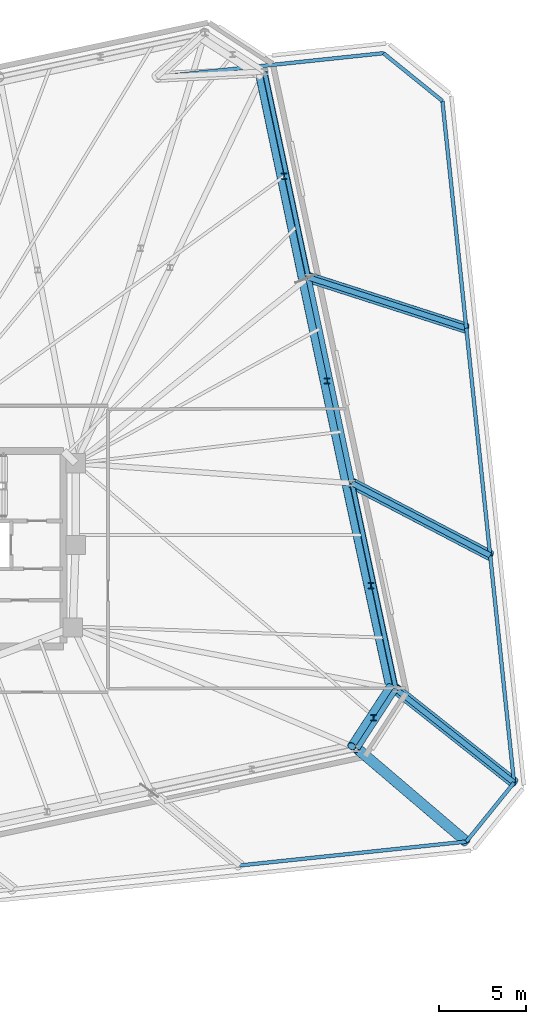
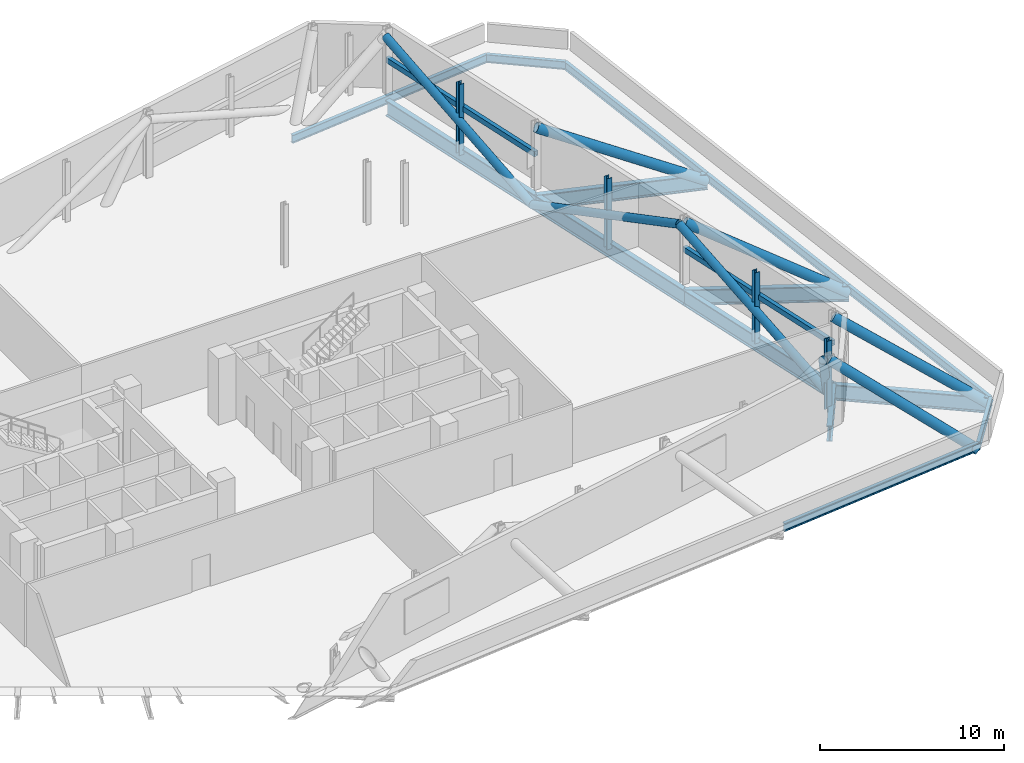
# One storey, part 11 of 19: 14 beams, 14 members.
"""IFC4 building model written with IfcOpenShell, lengths in metres."""

import ifcopenshell
import ifcopenshell.guid

model = None  # the IFC model being written
_history = None  # IfcOwnerHistory: only IFC2X3 demands one
_inside = {}  # id of a spatial element -> (the spatial element, [elements in it])
_under = {}  # id of a project, library or spatial element -> (it, [spatial elements below it])
_declared = {}  # id of a project -> (the project, [libraries it declares])
_typed = {}  # id of a type object -> (the type object, [elements of that type])
_made_of = {}  # id of a material, layer set ... -> (it, [elements and type objects made of it])


def new_model(schema):
    """Start an empty IFC model of exactly this schema.

    Asked for "IFC4X3", IfcOpenShell would pick the latest addendum, in which some entities
    have other attributes; the version numbers below select the first issue.
    IFC2X3 requires an IfcOwnerHistory on every rooted entity: one is made here for all.
    """
    global model, _history
    if schema == "IFC4X3":
        model = ifcopenshell.file(schema_version=(4, 3, 0, 0))
    else:
        model = ifcopenshell.file(schema=schema)
    _inside.clear()
    _under.clear()
    _declared.clear()
    _typed.clear()
    _made_of.clear()
    _history = None
    if model.schema == "IFC2X3":
        org = make("IfcOrganization", Name="unknown")
        user = make(
            "IfcPersonAndOrganization",
            ThePerson=make("IfcPerson", FamilyName="unknown"),
            TheOrganization=org,
        )
        app = make(
            "IfcApplication",
            ApplicationDeveloper=org,
            Version="unknown",
            ApplicationFullName="unknown",
            ApplicationIdentifier="unknown",
        )
        _history = make(
            "IfcOwnerHistory",
            OwningUser=user,
            OwningApplication=app,
            ChangeAction="ADDED",
            CreationDate=0,
        )
    return model


def make(cls, **values):
    """One entity of the class cls with the attributes given. An attribute that is None is left unset."""
    return model.create_entity(
        cls, **{name: value for name, value in values.items() if value is not None}
    )


def rooted(cls, **values):
    """An entity with a GlobalId (a new one), such as an element, a storey or a relation."""
    return make(cls, GlobalId=ifcopenshell.guid.new(), OwnerHistory=_history, **values)


def si_unit(unit_type, name, prefix=None):
    """IfcSIUnit, for example si_unit("LENGTHUNIT", "METRE", prefix="MILLI")."""
    return make("IfcSIUnit", UnitType=unit_type, Prefix=prefix, Name=name)


def assignment(units):
    """IfcUnitAssignment: the units of a project."""
    return None if units is None else make("IfcUnitAssignment", Units=units)


def point(xyz):
    """IfcCartesianPoint."""
    return None if xyz is None else make("IfcCartesianPoint", Coordinates=xyz)


def direction(xyz):
    """IfcDirection."""
    return None if xyz is None else make("IfcDirection", DirectionRatios=xyz)


def frame(location, z_axis=None, x_axis=None):
    """IfcAxis2Placement3D, a coordinate frame: its origin and axes. An axis left out is left unset."""
    return make(
        "IfcAxis2Placement3D",
        Location=point(location),
        Axis=direction(z_axis),
        RefDirection=direction(x_axis),
    )


def frame_2d(location, x_axis=None):
    """IfcAxis2Placement2D, a coordinate frame in the plane: its origin and x axis."""
    return make(
        "IfcAxis2Placement2D", Location=point(location), RefDirection=direction(x_axis)
    )


def origin():
    """The frame at (0, 0, 0) with its axes left unset."""
    return frame((0.0, 0.0, 0.0))


def origin_2d():
    """The frame at (0, 0) in the plane with its x axis left unset."""
    return frame_2d((0.0, 0.0))


def place(relative_to, where):
    """IfcLocalPlacement: puts the frame where relative to a parent placement (None: the world)."""
    return make(
        "IfcLocalPlacement", PlacementRelTo=relative_to, RelativePlacement=where
    )


def context(
    kind, dimensions, precision=None, world=None, true_north=None, identifier=None
):
    """IfcGeometricRepresentationContext, for example the 3D "Model" context."""
    return make(
        "IfcGeometricRepresentationContext",
        ContextIdentifier=identifier,
        ContextType=kind,
        CoordinateSpaceDimension=dimensions,
        Precision=precision,
        WorldCoordinateSystem=world,
        TrueNorth=true_north,
    )


def subcontext(parent, identifier, kind, view, scale=None):
    """IfcGeometricRepresentationSubContext, for example "Body" below "Model"."""
    return make(
        "IfcGeometricRepresentationSubContext",
        ContextIdentifier=identifier,
        ContextType=kind,
        ParentContext=parent,
        TargetScale=scale,
        TargetView=view,
    )


def project(units=None, contexts=None):
    """IfcProject with its units and contexts."""
    return rooted(
        "IfcProject",
        Name="project",
        RepresentationContexts=contexts,
        UnitsInContext=assignment(units),
    )


def spatial(cls, under=None, at=None, **own):
    """A site, building, storey or space (cls), placed at a placement, below another one or the project."""
    s = rooted(cls, ObjectPlacement=at, **own)
    if under is not None:
        _under.setdefault(under.id(), (under, []))[1].append(s)
    return s


def profile(cls, at=None, kind="AREA", **sizes):
    """A parametric profile (cls). Its sizes go by their IFC names, for example OverallWidth=200.0."""
    return make(cls, ProfileType=kind, Position=at, **sizes)


def hollow_rectangle(**sizes):
    """IfcRectangleHollowProfileDef."""
    return profile("IfcRectangleHollowProfileDef", **sizes)


def hollow_circle(**sizes):
    """IfcCircleHollowProfileDef."""
    return profile("IfcCircleHollowProfileDef", **sizes)


def i_section(**sizes):
    """IfcIShapeProfileDef."""
    return profile("IfcIShapeProfileDef", **sizes)


def extrude(swept, where, along, depth):
    """IfcExtrudedAreaSolid: the profile swept, set in the frame where, extruded along a direction by depth."""
    return make(
        "IfcExtrudedAreaSolid",
        SweptArea=swept,
        Position=where,
        ExtrudedDirection=direction(along),
        Depth=depth,
    )


def shape(context_of_items, identifier, shape_type, items):
    """IfcShapeRepresentation: the items that make up one representation, for example the "Body"."""
    return make(
        "IfcShapeRepresentation",
        ContextOfItems=context_of_items,
        RepresentationIdentifier=identifier,
        RepresentationType=shape_type,
        Items=items,
    )


def material(Name=None, Category=None):
    """IfcMaterial."""
    return make("IfcMaterial", Name=Name, Category=Category)


def material_profile(
    of_material, cross_section, Name=None, Category=None, Priority=None
):
    """IfcMaterialProfile: a cross section and its material."""
    return make(
        "IfcMaterialProfile",
        Name=Name,
        Material=of_material,
        Profile=cross_section,
        Priority=Priority,
        Category=Category,
    )


def profile_set(profiles, Name=None, composite=None):
    """IfcMaterialProfileSet."""
    return make(
        "IfcMaterialProfileSet",
        Name=Name,
        MaterialProfiles=profiles,
        CompositeProfile=composite,
    )


def made_of(thing, what):
    """Note that an element or type object is made of a material, layer set ...; save() writes the relation."""
    if what is not None:
        _made_of.setdefault(what.id(), (what, []))[1].append(thing)
    return thing


def type_object(cls, material=None, **own):
    """A type object (cls), such as IfcWallType, which elements share."""
    return made_of(rooted(cls, **own), material)


def element(
    cls,
    number,
    at=None,
    inside=None,
    cuts=None,
    type_object=None,
    material=None,
    context=None,
    identifier="Body",
    shape_type=None,
    held_by="IfcProductDefinitionShape",
    body=None,
    shapes=None,
    **own,
):
    """One element of the class cls, such as IfcWall. Its Tag is "e" and its number.

    at: its placement. inside: the storey or other place that contains it. cuts: it is an
    opening in that element (IfcRelVoidsElement). A single representation is given by context,
    identifier, shape_type and body (its items); several are given by shapes. held_by: the class
    of the entity that holds the representations. save() writes the other relations.
    """
    e = rooted(cls, Tag="e%d" % number, ObjectPlacement=at, **own)
    if body is not None:
        shapes = [shape(context, identifier, shape_type, body)]
    if shapes is not None:
        e.Representation = make(held_by, Representations=shapes)
    if inside is not None:
        _inside.setdefault(inside.id(), (inside, []))[1].append(e)
    if cuts is not None:
        rooted(
            "IfcRelVoidsElement", RelatingBuildingElement=cuts, RelatedOpeningElement=e
        )
    if type_object is not None:
        _typed.setdefault(type_object.id(), (type_object, []))[1].append(e)
    return made_of(e, material)


def aggregate(whole, parts):
    """IfcRelAggregates: a whole, such as a stair, and the parts it consists of."""
    return rooted("IfcRelAggregates", RelatingObject=whole, RelatedObjects=parts)


def save(model, path):
    """Write the relations noted so far, then the file.

    IfcRelAggregates (storeys below a building ...), IfcRelContainedInSpatialStructure (elements
    in a storey), IfcRelDefinesByType, IfcRelAssociatesMaterial and IfcRelDeclares: one each for
    every whole, place, type object, material and project.
    """
    for whole, parts in _under.values():
        aggregate(whole, parts)
    for where, things in _inside.values():
        rooted(
            "IfcRelContainedInSpatialStructure",
            RelatedElements=things,
            RelatingStructure=where,
        )
    for kind, things in _typed.values():
        rooted("IfcRelDefinesByType", RelatedObjects=things, RelatingType=kind)
    for what, things in _made_of.values():
        rooted("IfcRelAssociatesMaterial", RelatedObjects=things, RelatingMaterial=what)
    for by, libraries in _declared.values():
        rooted("IfcRelDeclares", RelatingContext=by, RelatedDefinitions=libraries)
    model.write(path)


model = new_model("IFC4")

# Units and contexts
model_context = context("Model", 3, precision=1e-05, world=origin(), true_north=direction((0.0, 1.0)))
body_context = subcontext(model_context, "Body", "Model", "MODEL_VIEW")
ifc_project = project(units=[si_unit("LENGTHUNIT", "METRE"), si_unit("AREAUNIT", "SQUARE_METRE"), si_unit("VOLUMEUNIT", "CUBIC_METRE"), si_unit("PLANEANGLEUNIT", "RADIAN"), si_unit("MASSUNIT", "GRAM", prefix="KILO")], contexts=[model_context])

# Site, building, storey
site_placement = place(None, origin())
site = spatial("IfcSite", under=ifc_project, at=site_placement, CompositionType="ELEMENT")
building_placement = place(site_placement, origin())
building = spatial("IfcBuilding", under=site, at=building_placement, Name="Menara Jurai Vektor", CompositionType="ELEMENT")
storey_placement = place(building_placement, frame((0.0, 0.0, 142.89990234375)))
storey = spatial("IfcBuildingStorey", under=building, at=storey_placement, Name="L36", CompositionType="ELEMENT", Elevation=142.89990234375)

# Beams
ifc_material_1 = material(Name="Steel S355", Category="steel")
ifc_material_profile_1 = material_profile(ifc_material_1, i_section(OverallWidth=0.2109375, OverallDepth=0.5390625, WebThickness=0.011962890625, FlangeThickness=0.01904296875, FilletRadius=0.012939453125, at=origin_2d()), Name="UKB 533x210x109")
ifc_profile_set_1 = profile_set([ifc_material_profile_1], Name="Steel S355")
beam_type_1 = type_object("IfcBeamType", Name="STR-BM-533", PredefinedType="BEAM", material=ifc_profile_set_1)
beam_1_placement = place(storey_placement, frame((24.64208984375, -18.12939453125, -0.67431640625), z_axis=(0.994521636083, 0.104530930169, 0.0), x_axis=(-0.104530930169, 0.994521636083, 0.0)))
element("IfcBeam", 1, at=beam_1_placement, inside=storey, type_object=beam_type_1, Name="Step Terrace Edge Beam L36-05", PredefinedType="BEAM", context=body_context, shape_type="SweptSolid", body=[
    extrude(i_section(OverallWidth=0.2109375, OverallDepth=0.5390625, WebThickness=0.011962890625, FlangeThickness=0.01904296875, FilletRadius=0.012939453125, at=origin_2d()), origin(), (0.0, 0.0, 1.0), 13.05126953125),
])
beam_2_placement = place(storey_placement, frame((37.621826171875, -16.76513671875, -0.67431640625), z_axis=(0.629343699494, 0.777127086072, 0.0), x_axis=(-0.777127086072, 0.629343699494, 0.0)))
element("IfcBeam", 2, at=beam_2_placement, inside=storey, type_object=beam_type_1, Name="Step Terrace Edge Beam L36-06", PredefinedType="BEAM", context=body_context, shape_type="SweptSolid", body=[
    extrude(i_section(OverallWidth=0.2109375, OverallDepth=0.5390625, WebThickness=0.011962890625, FlangeThickness=0.01904296875, FilletRadius=0.012939453125, at=origin_2d()), origin(), (0.0, 0.0, 1.0), 4.3447265625),
])
beam_3_placement = place(storey_placement, frame((40.356201171875, -13.388671875, -0.67431640625), z_axis=(-0.104538130097, 0.994520879296, 0.0), x_axis=(-0.994520879296, -0.104538130097, 0.0)))
element("IfcBeam", 3, at=beam_3_placement, inside=storey, type_object=beam_type_1, Name="Step Terrace Edge Beam L36-07", PredefinedType="BEAM", context=body_context, shape_type="SweptSolid", body=[
    extrude(i_section(OverallWidth=0.2109375, OverallDepth=0.5390625, WebThickness=0.011962890625, FlangeThickness=0.01904296875, FilletRadius=0.012939453125, at=origin_2d()), origin(), (0.0, 0.0, 1.0), 13.08544921875),
])
beam_4_placement = place(storey_placement, frame((38.98828125, -0.375, -0.67431640625), z_axis=(-0.104521615846, 0.994522615037, 0.0), x_axis=(-0.994522615037, -0.104521615846, 0.0)))
element("IfcBeam", 4, at=beam_4_placement, inside=storey, type_object=beam_type_1, Name="Step Terrace Edge Beam L36-08", PredefinedType="BEAM", context=body_context, shape_type="SweptSolid", body=[
    extrude(i_section(OverallWidth=0.2109375, OverallDepth=0.5390625, WebThickness=0.011962890625, FlangeThickness=0.01904296875, FilletRadius=0.012939453125, at=origin_2d()), origin(), (0.0, 0.0, 1.0), 13.085205078125),
])
beam_5_placement = place(storey_placement, frame((37.62060546875, 12.638427734375, -0.67431640625), z_axis=(-0.104538130097, 0.994520879296, 0.0), x_axis=(-0.994520879296, -0.104538130097, 0.0)))
element("IfcBeam", 5, at=beam_5_placement, inside=storey, type_object=beam_type_1, Name="Step Terrace Edge Beam L36-09", PredefinedType="BEAM", context=body_context, shape_type="SweptSolid", body=[
    extrude(i_section(OverallWidth=0.2109375, OverallDepth=0.5390625, WebThickness=0.011962890625, FlangeThickness=0.01904296875, FilletRadius=0.012939453125, at=origin_2d()), origin(), (0.0, 0.0, 1.0), 13.08544921875),
])
beam_6_placement = place(storey_placement, frame((36.252685546875, 25.652099609375, -0.67431640625), z_axis=(-0.777154568396, 0.629309762217, 0.0), x_axis=(-0.629309762217, -0.777154568396, 0.0)))
element("IfcBeam", 6, at=beam_6_placement, inside=storey, type_object=beam_type_1, Name="Step Terrace Edge Beam L36-10", PredefinedType="BEAM", context=body_context, shape_type="SweptSolid", body=[
    extrude(i_section(OverallWidth=0.2109375, OverallDepth=0.5390625, WebThickness=0.011962890625, FlangeThickness=0.01904296875, FilletRadius=0.012939453125, at=origin_2d()), origin(), (0.0, 0.0, 1.0), 4.3447265625),
])
beam_7_placement = place(storey_placement, frame((32.876220703125, 28.38623046875, -0.67431640625), z_axis=(-0.994521431679, -0.104532874882, 0.0), x_axis=(0.104532874882, -0.994521431679, 0.0)))
element("IfcBeam", 7, at=beam_7_placement, inside=storey, type_object=beam_type_1, Name="Step Terrace Edge Beam L36-11", PredefinedType="BEAM", context=body_context, shape_type="SweptSolid", body=[
    extrude(i_section(OverallWidth=0.2109375, OverallDepth=0.5390625, WebThickness=0.011962890625, FlangeThickness=0.01904296875, FilletRadius=0.012939453125, at=origin_2d()), origin(), (0.0, 0.0, 1.0), 13.051025390625),
])
ifc_material_2 = material(Name="Steel S460", Category="steel")
ifc_material_profile_2 = material_profile(ifc_material_2, i_section(OverallWidth=0.30908203125, OverallDepth=1.035888671875, WebThickness=0.030029296875, FlangeThickness=0.053955078125, FilletRadius=0.030029296875, at=origin_2d()), Name="UKB 1016x305x487")
ifc_profile_set_2 = profile_set([ifc_material_profile_2], Name="Steel S460")
beam_type_2 = type_object("IfcBeamType", Name="STR-BM-TR1016", PredefinedType="BEAM", material=ifc_profile_set_2)
beam_8_placement = place(storey_placement, frame((31.376220703125, -11.438720703125, -0.9228515625), z_axis=(0.544646071268, 0.838665998507, 0.0), x_axis=(-0.838665998507, 0.544646071268, 0.0)))
element("IfcBeam", 8, at=beam_8_placement, inside=storey, type_object=beam_type_2, Name="Belt Truss Bottom Chord L36-06", PredefinedType="BEAM", context=body_context, shape_type="SweptSolid", body=[
    extrude(i_section(OverallWidth=0.30908203125, OverallDepth=1.035888671875, WebThickness=0.030029296875, FlangeThickness=0.053955078125, FilletRadius=0.030029296875, at=origin_2d()), origin(), (0.0, 0.0, 1.0), 4.06201171875),
])
beam_9_placement = place(storey_placement, frame((33.588623046875, -8.031982421875, -0.9228515625), z_axis=(-0.207925382659, 0.978144690343, 0.0), x_axis=(-0.978144690343, -0.207925382659, 0.0)))
element("IfcBeam", 9, at=beam_9_placement, inside=storey, type_object=beam_type_2, Name="Belt Truss Bottom Chord L36-07", PredefinedType="BEAM", context=body_context, shape_type="SweptSolid", body=[
    extrude(i_section(OverallWidth=0.30908203125, OverallDepth=1.035888671875, WebThickness=0.030029296875, FlangeThickness=0.053955078125, FilletRadius=0.030029296875, at=origin_2d()), origin(), (0.0, 0.0, 1.0), 12.0517578125),
])
beam_10_placement = place(storey_placement, frame((40.356201171875, -13.388671875, -0.9228515625), z_axis=(-0.784100884895, 0.620633388005, 0.0), x_axis=(-0.620633388005, -0.784100884895, 0.0)))
element("IfcBeam", 10, at=beam_10_placement, inside=storey, type_object=beam_type_2, Name="Cantilever Transfer Girder L36-E1", PredefinedType="BEAM", context=body_context, shape_type="SweptSolid", body=[
    extrude(i_section(OverallWidth=0.30908203125, OverallDepth=1.035888671875, WebThickness=0.030029296875, FlangeThickness=0.053955078125, FilletRadius=0.030029296875, at=origin_2d()), origin(), (0.0, 0.0, 1.0), 8.631103515625),
])
beam_11_placement = place(storey_placement, frame((31.082763671875, 3.75634765625, -0.9228515625), z_axis=(-0.207901880993, 0.978149685825, 0.0), x_axis=(-0.978149685825, -0.207901880993, 0.0)))
element("IfcBeam", 11, at=beam_11_placement, inside=storey, type_object=beam_type_2, Name="Belt Truss Bottom Chord L36-08", PredefinedType="BEAM", context=body_context, shape_type="SweptSolid", body=[
    extrude(i_section(OverallWidth=0.30908203125, OverallDepth=1.035888671875, WebThickness=0.030029296875, FlangeThickness=0.053955078125, FilletRadius=0.030029296875, at=origin_2d()), origin(), (0.0, 0.0, 1.0), 12.052001953125),
])
beam_12_placement = place(storey_placement, frame((38.98828125, -0.375, -0.9228515625), z_axis=(-0.886275238215, 0.4631589383, 0.0), x_axis=(-0.4631589383, -0.886275238215, 0.0)))
element("IfcBeam", 12, at=beam_12_placement, inside=storey, type_object=beam_type_2, Name="Cantilever Transfer Girder L36-E2", PredefinedType="BEAM", context=body_context, shape_type="SweptSolid", body=[
    extrude(i_section(OverallWidth=0.30908203125, OverallDepth=1.035888671875, WebThickness=0.030029296875, FlangeThickness=0.053955078125, FilletRadius=0.030029296875, at=origin_2d()), origin(), (0.0, 0.0, 1.0), 8.919921875),
])
beam_13_placement = place(storey_placement, frame((28.5771484375, 15.544921875, -0.9228515625), z_axis=(-0.207921262698, 0.978145566119, 0.0), x_axis=(-0.978145566119, -0.207921262698, 0.0)))
element("IfcBeam", 13, at=beam_13_placement, inside=storey, type_object=beam_type_2, Name="Belt Truss Bottom Chord L36-09", PredefinedType="BEAM", context=body_context, shape_type="SweptSolid", body=[
    extrude(i_section(OverallWidth=0.30908203125, OverallDepth=1.035888671875, WebThickness=0.030029296875, FlangeThickness=0.053955078125, FilletRadius=0.030029296875, at=origin_2d()), origin(), (0.0, 0.0, 1.0), 12.052001953125),
])
beam_14_placement = place(storey_placement, frame((37.62060546875, 12.638427734375, -0.9228515625), z_axis=(-0.95203872255, 0.305977565789, 0.0), x_axis=(-0.305977565789, -0.95203872255, 0.0)))
element("IfcBeam", 14, at=beam_14_placement, inside=storey, type_object=beam_type_2, Name="Cantilever Transfer Girder L36-E3", PredefinedType="BEAM", context=body_context, shape_type="SweptSolid", body=[
    extrude(i_section(OverallWidth=0.30908203125, OverallDepth=1.035888671875, WebThickness=0.030029296875, FlangeThickness=0.053955078125, FilletRadius=0.030029296875, at=origin_2d()), origin(), (0.0, 0.0, 1.0), 9.4990234375),
])

# Members
ifc_material_profile_3 = material_profile(ifc_material_2, hollow_circle(Radius=0.25390625, WallThickness=0.02001953125, at=origin_2d()), Name="CHS 508x20")
ifc_profile_set_3 = profile_set([ifc_material_profile_3], Name="Steel S460")
member_type_1 = type_object("IfcMemberType", Name="STR-BR-508", PredefinedType="BRACE", material=ifc_profile_set_3)
member_1_placement = place(storey_placement, frame((33.262939453125, -7.93408203125, -0.9228515625), z_axis=(-0.346238496673, -0.530788879486, 0.773551594166), x_axis=(0.837558726892, -0.546347306213, 0.0)))
element("IfcMember", 15, at=member_1_placement, inside=storey, type_object=member_type_1, Name="Belt Truss Web Diagonal L36-06", PredefinedType="BRACE", context=body_context, shape_type="SweptSolid", body=[
    extrude(hollow_circle(Radius=0.25390625, WallThickness=0.02001953125, at=origin_2d()), origin(), (0.0, 0.0, 1.0), 6.353759765625),
])
member_2_placement = place(storey_placement, frame((33.262939453125, -7.93408203125, -0.9228515625), z_axis=(-0.195036489473, 0.9040230384, 0.380398624887), x_axis=(-0.977509648628, -0.210890698795, 0.0)))
element("IfcMember", 16, at=member_2_placement, inside=storey, type_object=member_type_1, Name="Belt Truss Web Diagonal L36-07", PredefinedType="BRACE", context=body_context, shape_type="SweptSolid", body=[
    extrude(hollow_circle(Radius=0.25390625, WallThickness=0.02001953125, at=origin_2d()), origin(), (0.0, 0.0, 1.0), 12.920654296875),
])
member_3_placement = place(storey_placement, frame((28.2626953125, 15.41552734375, -0.9228515625), z_axis=(0.192228854255, -0.904397117625, 0.380938211818), x_axis=(0.978149071632, 0.207904770665, 0.0)))
element("IfcMember", 17, at=member_3_placement, inside=storey, type_object=member_type_1, Name="Belt Truss Web Diagonal L36-08", PredefinedType="BRACE", context=body_context, shape_type="SweptSolid", body=[
    extrude(hollow_circle(Radius=0.25390625, WallThickness=0.02001953125, at=origin_2d()), origin(), (0.0, 0.0, 1.0), 12.90234375),
])
member_4_placement = place(storey_placement, frame((28.2626953125, 15.41552734375, -0.9228515625), z_axis=(-0.189534271742, 0.905195728876, 0.380391183204), x_axis=(-0.978774425821, -0.204940536152, 0.0)))
element("IfcMember", 18, at=member_4_placement, inside=storey, type_object=member_type_1, Name="Belt Truss Web Diagonal L36-09", PredefinedType="BRACE", context=body_context, shape_type="SweptSolid", body=[
    extrude(hollow_circle(Radius=0.25390625, WallThickness=0.02001953125, at=origin_2d()), origin(), (0.0, 0.0, 1.0), 12.9208984375),
])
ifc_material_profile_4 = material_profile(ifc_material_2, hollow_rectangle(XDim=0.25, YDim=0.35009765625, WallThickness=0.012451171875, at=origin_2d()), Name="RHS 350x250x12.5")
ifc_profile_set_4 = profile_set([ifc_material_profile_4], Name="Steel S460")
member_type_2 = type_object("IfcMemberType", Name="STR-CH-RHS350", PredefinedType="CHORD", material=ifc_profile_set_4)
member_5_placement = place(storey_placement, frame((33.588623046875, -8.031982421875, 2.255126953125), z_axis=(-0.207925382659, 0.978144690343, 0.0), x_axis=(-0.978144690343, -0.207925382659, 0.0)))
element("IfcMember", 19, at=member_5_placement, inside=storey, type_object=member_type_2, Name="Belt Truss Mid Chord L36-07", PredefinedType="CHORD", context=body_context, shape_type="SweptSolid", body=[
    extrude(hollow_rectangle(XDim=0.25, YDim=0.35009765625, WallThickness=0.012451171875, at=origin_2d()), origin(), (0.0, 0.0, 1.0), 12.0517578125),
])
member_6_placement = place(storey_placement, frame((28.5771484375, 15.544921875, 2.255126953125), z_axis=(-0.207921262698, 0.978145566119, 0.0), x_axis=(-0.978145566119, -0.207921262698, 0.0)))
element("IfcMember", 20, at=member_6_placement, inside=storey, type_object=member_type_2, Name="Belt Truss Mid Chord L36-09", PredefinedType="CHORD", context=body_context, shape_type="SweptSolid", body=[
    extrude(hollow_rectangle(XDim=0.25, YDim=0.35009765625, WallThickness=0.012451171875, at=origin_2d()), origin(), (0.0, 0.0, 1.0), 12.052001953125),
])
ifc_material_profile_5 = material_profile(ifc_material_2, i_section(OverallWidth=0.31103515625, OverallDepth=0.326904296875, WebThickness=0.01611328125, FlangeThickness=0.02490234375, FilletRadius=0.014892578125, at=origin_2d()), Name="UKC 305x305x158")
ifc_profile_set_5 = profile_set([ifc_material_profile_5], Name="Steel S460")
member_type_3 = type_object("IfcMemberType", Name="STR-POST-305", PredefinedType="POST", material=ifc_profile_set_5)
for number, where, z_axis, x_axis, name in (
    (21, (32.31298828125, -9.674560546875, -0.7548828125), (0.0, 0.0, 1.0), (1.0, 0.0, 0.0), "Belt Truss Vertical Web Post L36-06"),
    (22, (32.157470703125, -2.112548828125, -0.7548828125), (0.0, 0.0, 1.0), (1.0, 0.0, 0.0), "Belt Truss Vertical Web Post L36-07"),
    (23, (29.65380859375, 9.61328125, -0.7548828125), (0.0, 0.0, 1.0), (1.0, 0.0, 0.0), "Belt Truss Vertical Web Post L36-08"),
    (24, (27.171630859375, 21.343505859375, -0.7548828125), (0.0, 0.0, 1.0), (1.0, 0.0, 0.0), "Belt Truss Vertical Web Post L36-09"),
):
    element("IfcMember", number, at=place(storey_placement, frame(where, z_axis=z_axis, x_axis=x_axis)), inside=storey, type_object=member_type_3, Name=name, PredefinedType="POST", context=body_context, shape_type="SweptSolid", body=[
        extrude(i_section(OverallWidth=0.31103515625, OverallDepth=0.326904296875, WebThickness=0.01611328125, FlangeThickness=0.02490234375, FilletRadius=0.014892578125, at=origin_2d()), origin(), (0.0, 0.0, 1.0), 4.705078125),
    ])
ifc_material_profile_6 = material_profile(ifc_material_2, hollow_circle(Radius=0.304931640625, WallThickness=0.02490234375, at=origin_2d()), Name="CHS 610x25")
ifc_profile_set_6 = profile_set([ifc_material_profile_6], Name="Steel S460")
member_type_4 = type_object("IfcMemberType", Name="STR-ST-610", PredefinedType="STRUT", material=ifc_profile_set_6)
member_7_placement = place(storey_placement, frame((37.621826171875, -16.76513671875, -0.9228515625), z_axis=(-0.652797990126, 0.556723233155, 0.513725632758), x_axis=(-0.648895966138, -0.760877141942, 0.0)))
element("IfcMember", 25, at=member_7_placement, inside=storey, type_object=member_type_4, Name="Transfer Outrigger Strut L36-S6", PredefinedType="STRUT", context=body_context, shape_type="SweptSolid", body=[
    extrude(hollow_circle(Radius=0.304931640625, WallThickness=0.02490234375, at=origin_2d()), origin(), (0.0, 0.0, 1.0), 9.5673828125),
])
member_8_placement = place(storey_placement, frame((40.356201171875, -13.388671875, -0.9228515625), z_axis=(-0.681366336384, 0.539316695044, 0.494850904909), x_axis=(-0.620633388005, -0.784100884895, 0.0)))
element("IfcMember", 26, at=member_8_placement, inside=storey, type_object=member_type_4, Name="Transfer Outrigger Strut L36-E1", PredefinedType="STRUT", context=body_context, shape_type="SweptSolid", body=[
    extrude(hollow_circle(Radius=0.304931640625, WallThickness=0.02490234375, at=origin_2d()), origin(), (0.0, 0.0, 1.0), 9.932373046875),
])
member_9_placement = place(storey_placement, frame((38.98828125, -0.375, -0.9228515625), z_axis=(-0.776234760018, 0.405652839907, 0.48260270494), x_axis=(-0.4631589383, -0.886275238215, 0.0)))
element("IfcMember", 27, at=member_9_placement, inside=storey, type_object=member_type_4, Name="Transfer Outrigger Strut L36-E2", PredefinedType="STRUT", context=body_context, shape_type="SweptSolid", body=[
    extrude(hollow_circle(Radius=0.304931640625, WallThickness=0.02490234375, at=origin_2d()), origin(), (0.0, 0.0, 1.0), 10.184326171875),
])
member_10_placement = place(storey_placement, frame((37.62060546875, 12.638427734375, -0.9228515625), z_axis=(-0.845554348187, 0.271754346827, 0.45955132384), x_axis=(-0.305977565789, -0.95203872255, 0.0)))
element("IfcMember", 28, at=member_10_placement, inside=storey, type_object=member_type_4, Name="Transfer Outrigger Strut L36-E3", PredefinedType="STRUT", context=body_context, shape_type="SweptSolid", body=[
    extrude(hollow_circle(Radius=0.304931640625, WallThickness=0.02490234375, at=origin_2d()), origin(), (0.0, 0.0, 1.0), 10.6953125),
])

save(model, "model.ifc")
